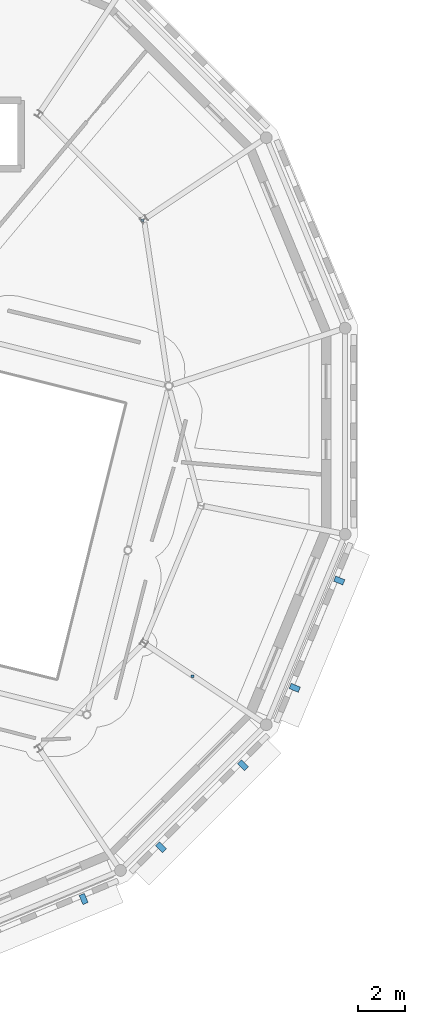
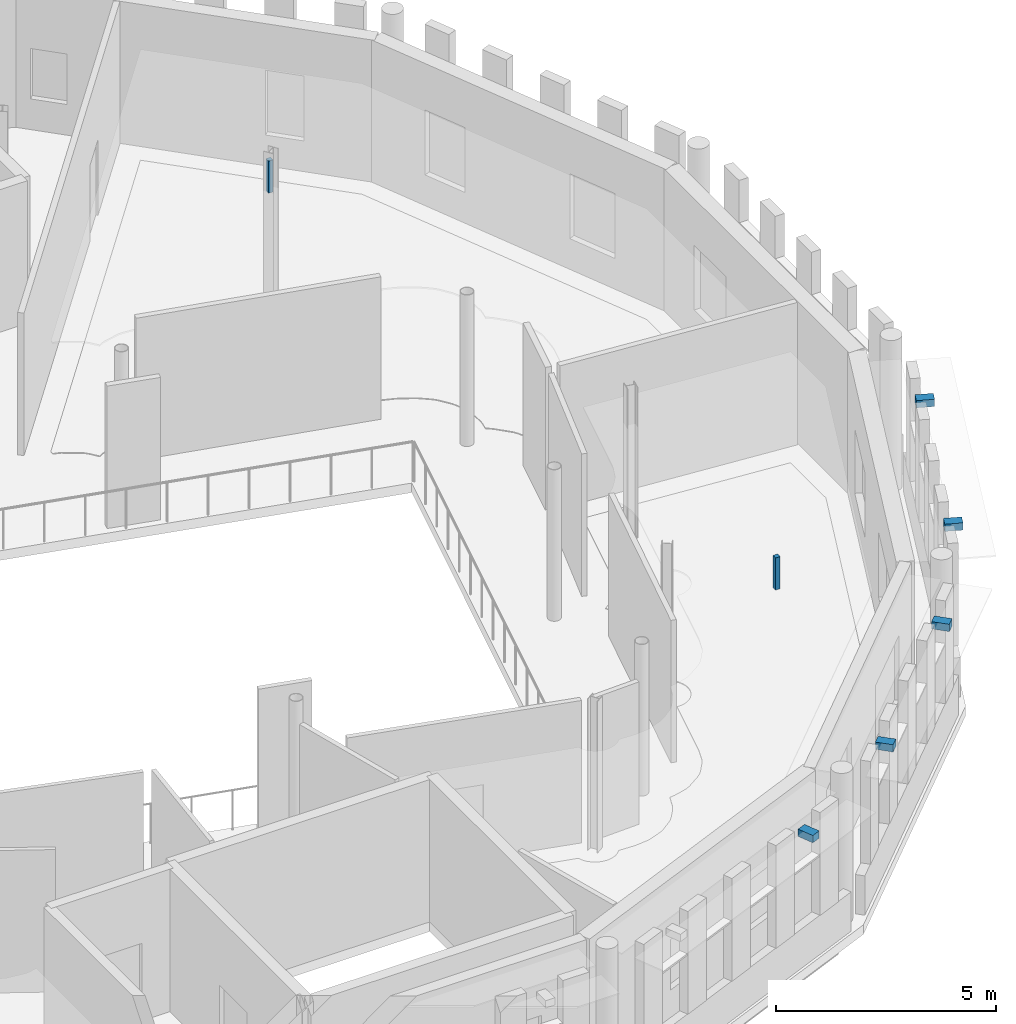
# One storey, part 60 of 68: 7 discrete accessories.
"""IFC4 building model written with IfcOpenShell, lengths in metres."""

from ifc_helpers import new_model, si_unit, direction, frame, origin, origin_2d, place, context, subcontext, project, spatial, rectangle, extrude, material, type_object, element, save


model = new_model("IFC4")

# Units and contexts
model_context = context("Model", 3, precision=1e-05, world=origin(), true_north=direction((0.0, 1.0)))
body_context = subcontext(model_context, "Body", "Model", "MODEL_VIEW")
ifc_project = project(units=[si_unit("LENGTHUNIT", "METRE"), si_unit("AREAUNIT", "SQUARE_METRE"), si_unit("VOLUMEUNIT", "CUBIC_METRE"), si_unit("PLANEANGLEUNIT", "RADIAN"), si_unit("MASSUNIT", "GRAM", prefix="KILO")], contexts=[model_context])

# Site, building, storey
site_placement = place(None, origin())
site = spatial("IfcSite", under=ifc_project, at=site_placement, CompositionType="ELEMENT")
building_placement = place(site_placement, origin())
building = spatial("IfcBuilding", under=site, at=building_placement, Name="Wrenclough Park School", CompositionType="ELEMENT")
storey_placement = place(building_placement, frame((0.0, 0.0, 12.60009765625)))
storey = spatial("IfcBuildingStorey", under=building, at=storey_placement, Name="L03", CompositionType="ELEMENT", Elevation=12.60009765625)

# Discrete accessories
ifc_material_1 = material(Name="Austenitic stainless steel Grade 1.4401", Category="steel")
discrete_accessory_type_1 = type_object("IfcDiscreteAccessoryType", Name="ENV-BRK-01", PredefinedType="BRACKET", material=ifc_material_1)
for number, where, z_axis, x_axis, name in (
    (1, (166.406005859375, 6.622314453125, 3.5400390625), (0.0, 0.0, 1.0), (0.923879101997, 0.382684471717, 0.0), "Brise-soleil stainless outrigger bracket 0172"),
    (2, (169.69091796875, 8.8173828125, 3.5400390625), (0.0, 0.0, 1.0), (0.707106781187, 0.707106781187, 0.0), "Brise-soleil stainless outrigger bracket 0173"),
    (3, (173.1826171875, 12.30908203125, 3.5400390625), (0.0, 0.0, 1.0), (0.707106781187, 0.707106781187, 0.0), "Brise-soleil stainless outrigger bracket 0174"),
    (4, (175.377685546875, 15.593994140625, 3.5400390625), (0.0, 0.0, 1.0), (0.382684471717, 0.923879101997, 0.0), "Brise-soleil stainless outrigger bracket 0175"),
    (5, (177.26708984375, 20.156005859375, 3.5400390625), (0.0, 0.0, 1.0), (0.382684471717, 0.923879101997, 0.0), "Brise-soleil stainless outrigger bracket 0176"),
):
    element("IfcDiscreteAccessory", number, at=place(storey_placement, frame(where, z_axis=z_axis, x_axis=x_axis)), inside=storey, type_object=discrete_accessory_type_1, Name=name, PredefinedType="BRACKET", context=body_context, shape_type="SweptSolid", body=[
        extrude(rectangle(XDim=0.239990234375, YDim=0.419921875, at=origin_2d()), origin(), (0.0, 0.0, 1.0), 0.199951171875),
    ])
ifc_material_2 = material(Name="Galvanised steel acoustic ceiling suspension hanger", Category="steel")
discrete_accessory_type_2 = type_object("IfcDiscreteAccessoryType", Name="INT-BRK-HGR", PredefinedType="BRACKET", material=ifc_material_2)
for number, where, z_axis, x_axis, name in (
    (6, (168.91259765625, 35.459716796875, 3.08984375), (0.0, 0.0, 1.0), (1.0, 0.0, 0.0), "Acoustic ceiling hanger bracket 0065"),
    (7, (171.03076171875, 16.089599609375, 3.08984375), (0.0, 0.0, 1.0), (1.0, 0.0, 0.0), "Acoustic ceiling hanger bracket 0066"),
):
    element("IfcDiscreteAccessory", number, at=place(storey_placement, frame(where, z_axis=z_axis, x_axis=x_axis)), inside=storey, type_object=discrete_accessory_type_2, Name=name, PredefinedType="BRACKET", context=body_context, shape_type="SweptSolid", body=[
        extrude(rectangle(XDim=0.1201171875, YDim=0.1201171875, at=origin_2d()), origin(), (0.0, 0.0, 1.0), 0.889892578125),
    ])

save(model, "model.ifc")
